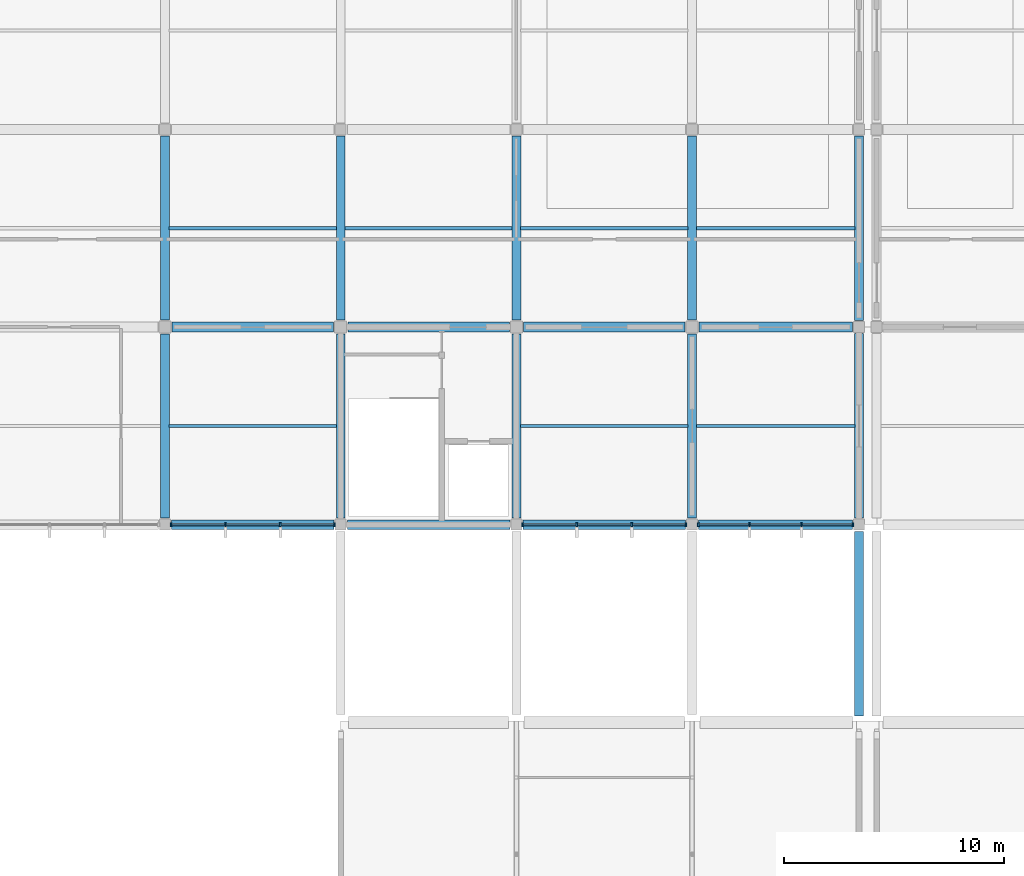
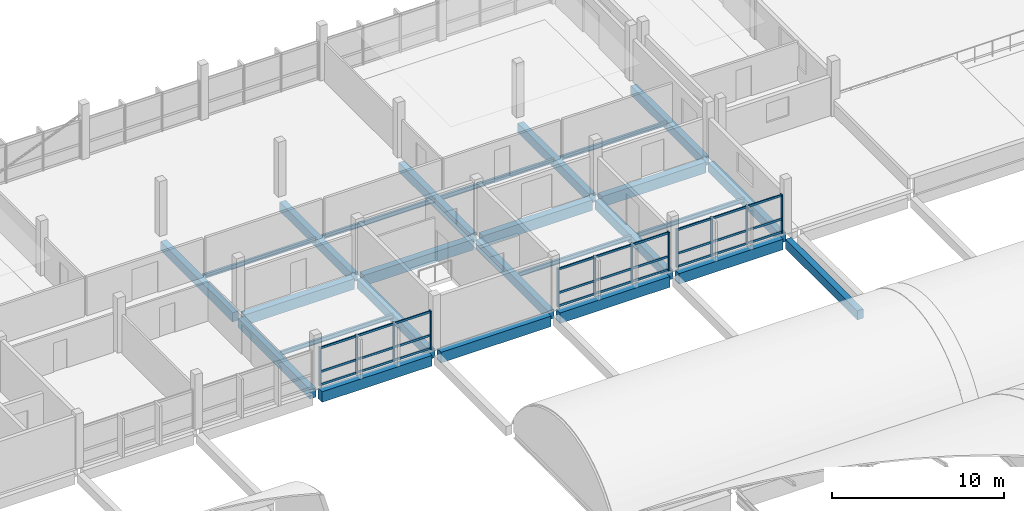
# One storey, part 24 of 57: 39 members, 26 beams, 3 elements without a shape of their own.
"""IFC4 building model written with IfcOpenShell, lengths in metres."""

from ifc_helpers import new_model, si_unit, direction, frame, origin, origin_2d, place, context, subcontext, project, spatial, rectangle, i_section, extrude, material, material_profile, profile_set, type_object, element, aggregate, save


model = new_model("IFC4")

# Units and contexts
model_context = context("Model", 3, precision=1e-05, world=origin(), true_north=direction((0.0, 1.0)))
body_context = subcontext(model_context, "Body", "Model", "MODEL_VIEW")
ifc_project = project(units=[si_unit("LENGTHUNIT", "METRE"), si_unit("AREAUNIT", "SQUARE_METRE"), si_unit("VOLUMEUNIT", "CUBIC_METRE"), si_unit("PLANEANGLEUNIT", "RADIAN"), si_unit("MASSUNIT", "GRAM", prefix="KILO"), si_unit("THERMODYNAMICTEMPERATUREUNIT", "KELVIN"), si_unit("POWERUNIT", "WATT")], contexts=[model_context])

# Site, building, storey
site_placement = place(None, origin())
site = spatial("IfcSite", under=ifc_project, at=site_placement, CompositionType="ELEMENT")
building_placement = place(site_placement, origin())
building = spatial("IfcBuilding", under=site, at=building_placement, Name="Kronsvod Quay Wholesale Market", CompositionType="ELEMENT")
storey_placement = place(building_placement, frame((0.0, 0.0, 13.199951171875)))
storey = spatial("IfcBuildingStorey", under=building, at=storey_placement, Name="L03", CompositionType="ELEMENT", Elevation=13.199951171875)

# Beams
ifc_material_1 = material(Name="Precast concrete C40/50", Category="concrete")
ifc_material_profile_1 = material_profile(ifc_material_1, rectangle(XDim=0.39990234375, YDim=0.64990234375, at=origin_2d()), Name="PCB400x650")
ifc_profile_set_1 = profile_set([ifc_material_profile_1], Name="Precast concrete C40/50")
beam_type_1 = type_object("IfcBeamType", Name="Beam_PCB400x650", PredefinedType="BEAM", material=ifc_profile_set_1)
for number, where, z_axis, x_axis, name in (
    (1, (96.0, 99.300048828125, -0.635009765625), (0.0, 1.0, 0.0), (-1.0, 0.0, 0.0), "BMY-L03-960-990"),
    (2, (96.0, 108.324951171875, -0.635009765625), (0.0, 1.0, 0.0), (-1.0, 0.0, 0.0), "BMY-L03-960-1080"),
    (3, (104.0, 99.300048828125, -0.635009765625), (0.0, 1.0, 0.0), (-1.0, 0.0, 0.0), "BMY-L03-1040-990"),
    (4, (104.0, 108.324951171875, -0.635009765625), (0.0, 1.0, 0.0), (-1.0, 0.0, 0.0), "BMY-L03-1040-1080"),
    (5, (112.0, 99.300048828125, -0.635009765625), (0.0, 1.0, 0.0), (-1.0, 0.0, 0.0), "BMY-L03-1120-990"),
    (6, (112.0, 108.324951171875, -0.635009765625), (0.0, 1.0, 0.0), (-1.0, 0.0, 0.0), "BMY-L03-1120-1080"),
    (7, (120.0, 99.300048828125, -0.635009765625), (0.0, 1.0, 0.0), (-1.0, 0.0, 0.0), "BMY-L03-1200-990"),
    (8, (120.0, 108.324951171875, -0.635009765625), (0.0, 1.0, 0.0), (-1.0, 0.0, 0.0), "BMY-L03-1200-1080"),
):
    element("IfcBeam", number, at=place(storey_placement, frame(where, z_axis=z_axis, x_axis=x_axis)), inside=storey, type_object=beam_type_1, Name=name, PredefinedType="BEAM", context=body_context, shape_type="SweptSolid", body=[
        extrude(rectangle(XDim=0.39990234375, YDim=0.64990234375, at=origin_2d()), origin(), (0.0, 0.0, 1.0), 8.375),
    ])
for number, where, z_axis, x_axis, name in (
    (9, (127.60009765625, 90.300048828125, -0.635009765625), (0.0, 1.0, 0.0), (-1.0, 0.0, 0.0), "BMY-L03-1276-900"),
    (10, (127.60009765625, 99.300048828125, -0.635009765625), (0.0, 1.0, 0.0), (-1.0, 0.0, 0.0), "BMY-L03-1276-990"),
    (11, (127.60009765625, 108.300048828125, -0.635009765625), (0.0, 1.0, 0.0), (-1.0, 0.0, 0.0), "BMY-L03-1276-1080"),
):
    element("IfcBeam", number, at=place(storey_placement, frame(where, z_axis=z_axis, x_axis=x_axis)), inside=storey, type_object=beam_type_1, Name=name, PredefinedType="BEAM", context=body_context, shape_type="SweptSolid", body=[
        extrude(rectangle(XDim=0.39990234375, YDim=0.64990234375, at=origin_2d()), origin(), (0.0, 0.0, 1.0), 8.39990234375),
    ])
ifc_material_2 = material(Name="Precast concrete C40/50", Category="concrete")
ifc_material_profile_2 = material_profile(ifc_material_2, rectangle(XDim=0.449951171875, YDim=0.75, at=origin_2d()), Name="PCB450x750")
ifc_profile_set_2 = profile_set([ifc_material_profile_2], Name="Precast concrete C40/50")
beam_type_2 = type_object("IfcBeamType", Name="Beam_PCB450x750", PredefinedType="BEAM", material=ifc_profile_set_2)
for number, where, z_axis, x_axis, name in (
    (12, (96.300048828125, 99.0, -0.68505859375), (1.0, 0.0, 0.0), (0.0, 1.0, 0.0), "BMX-L03-960-990"),
    (13, (104.300048828125, 99.0, -0.68505859375), (1.0, 0.0, 0.0), (0.0, 1.0, 0.0), "BMX-L03-1040-990"),
    (14, (112.300048828125, 99.0, -0.68505859375), (1.0, 0.0, 0.0), (0.0, 1.0, 0.0), "BMX-L03-1120-990"),
):
    element("IfcBeam", number, at=place(storey_placement, frame(where, z_axis=z_axis, x_axis=x_axis)), inside=storey, type_object=beam_type_2, Name=name, PredefinedType="BEAM", context=body_context, shape_type="SweptSolid", body=[
        extrude(rectangle(XDim=0.449951171875, YDim=0.75, at=origin_2d()), origin(), (0.0, 0.0, 1.0), 7.39990234375),
    ])
beam_1_placement = place(storey_placement, frame((120.300048828125, 99.0, -0.68505859375), z_axis=(1.0, 0.0, 0.0), x_axis=(0.0, 1.0, 0.0)))
element("IfcBeam", 15, at=beam_1_placement, inside=storey, type_object=beam_type_2, Name="BMX-L03-1200-990", PredefinedType="BEAM", context=body_context, shape_type="SweptSolid", body=[
    extrude(rectangle(XDim=0.449951171875, YDim=0.75, at=origin_2d()), origin(), (0.0, 0.0, 1.0), 7.0),
])
for number, where, z_axis, x_axis, name in (
    (16, (96.324951171875, 108.0, -0.68505859375), (1.0, 0.0, 0.0), (0.0, 1.0, 0.0), "BMX-L03-960-1080"),
    (17, (104.324951171875, 108.0, -0.68505859375), (1.0, 0.0, 0.0), (0.0, 1.0, 0.0), "BMX-L03-1040-1080"),
    (18, (112.324951171875, 108.0, -0.68505859375), (1.0, 0.0, 0.0), (0.0, 1.0, 0.0), "BMX-L03-1120-1080"),
):
    element("IfcBeam", number, at=place(storey_placement, frame(where, z_axis=z_axis, x_axis=x_axis)), inside=storey, type_object=beam_type_2, Name=name, PredefinedType="BEAM", context=body_context, shape_type="SweptSolid", body=[
        extrude(rectangle(XDim=0.449951171875, YDim=0.75, at=origin_2d()), origin(), (0.0, 0.0, 1.0), 7.35009765625),
    ])
beam_2_placement = place(storey_placement, frame((120.324951171875, 108.0, -0.68505859375), z_axis=(1.0, 0.0, 0.0), x_axis=(0.0, 1.0, 0.0)))
element("IfcBeam", 19, at=beam_2_placement, inside=storey, type_object=beam_type_2, Name="BMX-L03-1200-1080", PredefinedType="BEAM", context=body_context, shape_type="SweptSolid", body=[
    extrude(rectangle(XDim=0.449951171875, YDim=0.75, at=origin_2d()), origin(), (0.0, 0.0, 1.0), 6.97509765625),
])
ifc_material_3 = material(Name="Steel S355", Category="steel")
ifc_material_profile_3 = material_profile(ifc_material_3, i_section(OverallWidth=0.14990234375, OverallDepth=0.300048828125, WebThickness=0.006591796875, FlangeThickness=0.009033203125, FilletRadius=0.012939453125, at=origin_2d()), Name="30B2")
ifc_profile_set_3 = profile_set([ifc_material_profile_3], Name="Steel S355")
beam_type_3 = type_object("IfcBeamType", Name="Joist_Steel30B2", PredefinedType="JOIST", material=ifc_profile_set_3)
for number, where, z_axis, x_axis, name in (
    (20, (96.195068359375, 103.5, -0.39990234375), (1.0, 0.0, 0.0), (0.0, 1.0, 0.0), "JSTX-L03-960-990"),
    (21, (96.195068359375, 112.5, -0.39990234375), (1.0, 0.0, 0.0), (0.0, 1.0, 0.0), "JSTX-L03-960-1080"),
    (22, (104.195068359375, 112.5, -0.39990234375), (1.0, 0.0, 0.0), (0.0, 1.0, 0.0), "JSTX-L03-1040-1080"),
    (23, (112.195068359375, 103.5, -0.39990234375), (1.0, 0.0, 0.0), (0.0, 1.0, 0.0), "JSTX-L03-1120-990"),
    (24, (112.195068359375, 112.5, -0.39990234375), (1.0, 0.0, 0.0), (0.0, 1.0, 0.0), "JSTX-L03-1120-1080"),
):
    element("IfcBeam", number, at=place(storey_placement, frame(where, z_axis=z_axis, x_axis=x_axis)), inside=storey, type_object=beam_type_3, Name=name, PredefinedType="JOIST", context=body_context, shape_type="SweptSolid", body=[
        extrude(i_section(OverallWidth=0.14990234375, OverallDepth=0.300048828125, WebThickness=0.006591796875, FlangeThickness=0.009033203125, FilletRadius=0.012939453125, at=origin_2d()), origin(), (0.0, 0.0, 1.0), 7.60986328125),
    ])
for number, where, z_axis, x_axis, name in (
    (25, (120.195068359375, 103.5, -0.39990234375), (1.0, 0.0, 0.0), (0.0, 1.0, 0.0), "JSTX-L03-1200-990"),
    (26, (120.195068359375, 112.5, -0.39990234375), (1.0, 0.0, 0.0), (0.0, 1.0, 0.0), "JSTX-L03-1200-1080"),
):
    element("IfcBeam", number, at=place(storey_placement, frame(where, z_axis=z_axis, x_axis=x_axis)), inside=storey, type_object=beam_type_3, Name=name, PredefinedType="JOIST", context=body_context, shape_type="SweptSolid", body=[
        extrude(i_section(OverallWidth=0.14990234375, OverallDepth=0.300048828125, WebThickness=0.006591796875, FlangeThickness=0.009033203125, FilletRadius=0.012939453125, at=origin_2d()), origin(), (0.0, 0.0, 1.0), 7.2099609375),
    ])

# Curtain wall, members
ifc_material_4 = material(Name="Thermally broken aluminium and triple low-E glazing", Category="aluminium")
curtain_wall_type = type_object("IfcCurtainWallType", Name="CW_Harbour80x30", PredefinedType="NOTDEFINED", material=ifc_material_4)
curtain_wall_1_placement = place(storey_placement, origin())
curtain_wall_1 = element("IfcCurtainWall", 27, at=curtain_wall_1_placement, inside=storey, type_object=curtain_wall_type, Name="CWGX-L03-960-990", PredefinedType="NOTDEFINED")
ifc_material_5 = material(Name="Anodised aluminium", Category="aluminium")
ifc_material_profile_4 = material_profile(ifc_material_5, rectangle(XDim=0.074951171875, YDim=0.199951171875, at=origin_2d()), Name="ALUM75x200")
ifc_profile_set_4 = profile_set([ifc_material_profile_4], Name="Anodised aluminium")
member_type_1 = type_object("IfcMemberType", Name="Mullion_ALU75x200", PredefinedType="MULLION", material=ifc_profile_set_4)
member_1_placement = place(storey_placement, frame((96.282470703125, 99.0, 0.0), z_axis=(0.0, 0.0, 1.0), x_axis=(1.0, 0.0, 0.0)))
member_1 = element("IfcMember", 28, at=member_1_placement, type_object=member_type_1, Name="CWGX-L03-960-990-M1", PredefinedType="MULLION", context=body_context, shape_type="SweptSolid", body=[
    extrude(rectangle(XDim=0.074951171875, YDim=0.199951171875, at=origin_2d()), origin(), (0.0, 0.0, 1.0), 2.75),
])
member_2_placement = place(storey_placement, frame((98.748291015625, 99.0, 0.0), z_axis=(0.0, 0.0, 1.0), x_axis=(1.0, 0.0, 0.0)))
member_2 = element("IfcMember", 29, at=member_2_placement, type_object=member_type_1, Name="CWGX-L03-960-990-M2", PredefinedType="MULLION", context=body_context, shape_type="SweptSolid", body=[
    extrude(rectangle(XDim=0.074951171875, YDim=0.199951171875, at=origin_2d()), origin(), (0.0, 0.0, 1.0), 2.75),
])
member_3_placement = place(storey_placement, frame((101.251708984375, 99.0, 0.0), z_axis=(0.0, 0.0, 1.0), x_axis=(1.0, 0.0, 0.0)))
member_3 = element("IfcMember", 30, at=member_3_placement, type_object=member_type_1, Name="CWGX-L03-960-990-M3", PredefinedType="MULLION", context=body_context, shape_type="SweptSolid", body=[
    extrude(rectangle(XDim=0.074951171875, YDim=0.199951171875, at=origin_2d()), origin(), (0.0, 0.0, 1.0), 2.75),
])
member_4_placement = place(storey_placement, frame((103.717529296875, 99.0, 0.0), z_axis=(0.0, 0.0, 1.0), x_axis=(1.0, 0.0, 0.0)))
member_4 = element("IfcMember", 31, at=member_4_placement, type_object=member_type_1, Name="CWGX-L03-960-990-M4", PredefinedType="MULLION", context=body_context, shape_type="SweptSolid", body=[
    extrude(rectangle(XDim=0.074951171875, YDim=0.199951171875, at=origin_2d()), origin(), (0.0, 0.0, 1.0), 2.75),
])

curtain_wall_2_placement = place(storey_placement, origin())
curtain_wall_2 = element("IfcCurtainWall", 32, at=curtain_wall_2_placement, inside=storey, type_object=curtain_wall_type, Name="CWGX-L03-1120-990", PredefinedType="NOTDEFINED")
member_5_placement = place(storey_placement, frame((112.282470703125, 99.0, 0.0), z_axis=(0.0, 0.0, 1.0), x_axis=(1.0, 0.0, 0.0)))
member_5 = element("IfcMember", 33, at=member_5_placement, type_object=member_type_1, Name="CWGX-L03-1120-990-M1", PredefinedType="MULLION", context=body_context, shape_type="SweptSolid", body=[
    extrude(rectangle(XDim=0.074951171875, YDim=0.199951171875, at=origin_2d()), origin(), (0.0, 0.0, 1.0), 2.75),
])
member_6_placement = place(storey_placement, frame((114.748291015625, 99.0, 0.0), z_axis=(0.0, 0.0, 1.0), x_axis=(1.0, 0.0, 0.0)))
member_6 = element("IfcMember", 34, at=member_6_placement, type_object=member_type_1, Name="CWGX-L03-1120-990-M2", PredefinedType="MULLION", context=body_context, shape_type="SweptSolid", body=[
    extrude(rectangle(XDim=0.074951171875, YDim=0.199951171875, at=origin_2d()), origin(), (0.0, 0.0, 1.0), 2.75),
])
member_7_placement = place(storey_placement, frame((117.251708984375, 99.0, 0.0), z_axis=(0.0, 0.0, 1.0), x_axis=(1.0, 0.0, 0.0)))
member_7 = element("IfcMember", 35, at=member_7_placement, type_object=member_type_1, Name="CWGX-L03-1120-990-M3", PredefinedType="MULLION", context=body_context, shape_type="SweptSolid", body=[
    extrude(rectangle(XDim=0.074951171875, YDim=0.199951171875, at=origin_2d()), origin(), (0.0, 0.0, 1.0), 2.75),
])
member_8_placement = place(storey_placement, frame((119.717529296875, 99.0, 0.0), z_axis=(0.0, 0.0, 1.0), x_axis=(1.0, 0.0, 0.0)))
member_8 = element("IfcMember", 36, at=member_8_placement, type_object=member_type_1, Name="CWGX-L03-1120-990-M4", PredefinedType="MULLION", context=body_context, shape_type="SweptSolid", body=[
    extrude(rectangle(XDim=0.074951171875, YDim=0.199951171875, at=origin_2d()), origin(), (0.0, 0.0, 1.0), 2.75),
])

curtain_wall_3_placement = place(storey_placement, origin())
curtain_wall_3 = element("IfcCurtainWall", 37, at=curtain_wall_3_placement, inside=storey, type_object=curtain_wall_type, Name="CWGX-L03-1200-990", PredefinedType="NOTDEFINED")
member_9_placement = place(storey_placement, frame((120.282470703125, 99.0, 0.0), z_axis=(0.0, 0.0, 1.0), x_axis=(1.0, 0.0, 0.0)))
member_9 = element("IfcMember", 38, at=member_9_placement, type_object=member_type_1, Name="CWGX-L03-1200-990-M1", PredefinedType="MULLION", context=body_context, shape_type="SweptSolid", body=[
    extrude(rectangle(XDim=0.074951171875, YDim=0.199951171875, at=origin_2d()), origin(), (0.0, 0.0, 1.0), 2.75),
])
member_10_placement = place(storey_placement, frame((122.614990234375, 99.0, 0.0), z_axis=(0.0, 0.0, 1.0), x_axis=(1.0, 0.0, 0.0)))
member_10 = element("IfcMember", 39, at=member_10_placement, type_object=member_type_1, Name="CWGX-L03-1200-990-M2", PredefinedType="MULLION", context=body_context, shape_type="SweptSolid", body=[
    extrude(rectangle(XDim=0.074951171875, YDim=0.199951171875, at=origin_2d()), origin(), (0.0, 0.0, 1.0), 2.75),
])
member_11_placement = place(storey_placement, frame((124.985107421875, 99.0, 0.0), z_axis=(0.0, 0.0, 1.0), x_axis=(1.0, 0.0, 0.0)))
member_11 = element("IfcMember", 40, at=member_11_placement, type_object=member_type_1, Name="CWGX-L03-1200-990-M3", PredefinedType="MULLION", context=body_context, shape_type="SweptSolid", body=[
    extrude(rectangle(XDim=0.074951171875, YDim=0.199951171875, at=origin_2d()), origin(), (0.0, 0.0, 1.0), 2.75),
])
member_12_placement = place(storey_placement, frame((127.3173828125, 99.0, 0.0), z_axis=(0.0, 0.0, 1.0), x_axis=(1.0, 0.0, 0.0)))
member_12 = element("IfcMember", 41, at=member_12_placement, type_object=member_type_1, Name="CWGX-L03-1200-990-M4", PredefinedType="MULLION", context=body_context, shape_type="SweptSolid", body=[
    extrude(rectangle(XDim=0.074951171875, YDim=0.199951171875, at=origin_2d()), origin(), (0.0, 0.0, 1.0), 2.75),
])

# Member
ifc_material_6 = material(Name="Anodised aluminium", Category="aluminium")
ifc_material_profile_5 = material_profile(ifc_material_6, rectangle(XDim=0.074951171875, YDim=0.14990234375, at=origin_2d()), Name="ALUT75x150")
ifc_profile_set_5 = profile_set([ifc_material_profile_5], Name="Anodised aluminium")
member_type_2 = type_object("IfcMemberType", Name="Transom_ALU75x150", PredefinedType="USERDEFINED", material=ifc_profile_set_5)
member_13_placement = place(storey_placement, frame((96.320068359375, 99.0, 0.074951171875), z_axis=(1.0, 0.0, 0.0), x_axis=(0.0, 1.0, 0.0)))
member_13 = element("IfcMember", 42, at=member_13_placement, type_object=member_type_2, Name="CWGX-L03-960-990-T1B1", ObjectType="TRANSOM", PredefinedType="USERDEFINED", context=body_context, shape_type="SweptSolid", body=[
    extrude(rectangle(XDim=0.074951171875, YDim=0.14990234375, at=origin_2d()), origin(), (0.0, 0.0, 1.0), 2.390869140625),
])

member_14_placement = place(storey_placement, frame((98.785888671875, 99.0, 0.074951171875), z_axis=(1.0, 0.0, 0.0), x_axis=(0.0, 1.0, 0.0)))
member_14 = element("IfcMember", 43, at=member_14_placement, type_object=member_type_2, Name="CWGX-L03-960-990-T1B2", ObjectType="TRANSOM", PredefinedType="USERDEFINED", context=body_context, shape_type="SweptSolid", body=[
    extrude(rectangle(XDim=0.074951171875, YDim=0.14990234375, at=origin_2d()), origin(), (0.0, 0.0, 1.0), 2.42822265625),
])

member_15_placement = place(storey_placement, frame((101.2890625, 99.0, 0.074951171875), z_axis=(1.0, 0.0, 0.0), x_axis=(0.0, 1.0, 0.0)))
member_15 = element("IfcMember", 44, at=member_15_placement, type_object=member_type_2, Name="CWGX-L03-960-990-T1B3", ObjectType="TRANSOM", PredefinedType="USERDEFINED", context=body_context, shape_type="SweptSolid", body=[
    extrude(rectangle(XDim=0.074951171875, YDim=0.14990234375, at=origin_2d()), origin(), (0.0, 0.0, 1.0), 2.390869140625),
])

member_16_placement = place(storey_placement, frame((96.320068359375, 99.0, 1.0), z_axis=(1.0, 0.0, 0.0), x_axis=(0.0, 1.0, 0.0)))
member_16 = element("IfcMember", 45, at=member_16_placement, type_object=member_type_2, Name="CWGX-L03-960-990-T2B1", ObjectType="TRANSOM", PredefinedType="USERDEFINED", context=body_context, shape_type="SweptSolid", body=[
    extrude(rectangle(XDim=0.074951171875, YDim=0.14990234375, at=origin_2d()), origin(), (0.0, 0.0, 1.0), 2.390869140625),
])

member_17_placement = place(storey_placement, frame((98.785888671875, 99.0, 1.0), z_axis=(1.0, 0.0, 0.0), x_axis=(0.0, 1.0, 0.0)))
member_17 = element("IfcMember", 46, at=member_17_placement, type_object=member_type_2, Name="CWGX-L03-960-990-T2B2", ObjectType="TRANSOM", PredefinedType="USERDEFINED", context=body_context, shape_type="SweptSolid", body=[
    extrude(rectangle(XDim=0.074951171875, YDim=0.14990234375, at=origin_2d()), origin(), (0.0, 0.0, 1.0), 2.42822265625),
])

member_18_placement = place(storey_placement, frame((101.2890625, 99.0, 1.0), z_axis=(1.0, 0.0, 0.0), x_axis=(0.0, 1.0, 0.0)))
member_18 = element("IfcMember", 47, at=member_18_placement, type_object=member_type_2, Name="CWGX-L03-960-990-T2B3", ObjectType="TRANSOM", PredefinedType="USERDEFINED", context=body_context, shape_type="SweptSolid", body=[
    extrude(rectangle(XDim=0.074951171875, YDim=0.14990234375, at=origin_2d()), origin(), (0.0, 0.0, 1.0), 2.390869140625),
])

member_19_placement = place(storey_placement, frame((96.320068359375, 99.0, 2.675048828125), z_axis=(1.0, 0.0, 0.0), x_axis=(0.0, 1.0, 0.0)))
member_19 = element("IfcMember", 48, at=member_19_placement, type_object=member_type_2, Name="CWGX-L03-960-990-T3B1", ObjectType="TRANSOM", PredefinedType="USERDEFINED", context=body_context, shape_type="SweptSolid", body=[
    extrude(rectangle(XDim=0.074951171875, YDim=0.14990234375, at=origin_2d()), origin(), (0.0, 0.0, 1.0), 2.390869140625),
])

member_20_placement = place(storey_placement, frame((98.785888671875, 99.0, 2.675048828125), z_axis=(1.0, 0.0, 0.0), x_axis=(0.0, 1.0, 0.0)))
member_20 = element("IfcMember", 49, at=member_20_placement, type_object=member_type_2, Name="CWGX-L03-960-990-T3B2", ObjectType="TRANSOM", PredefinedType="USERDEFINED", context=body_context, shape_type="SweptSolid", body=[
    extrude(rectangle(XDim=0.074951171875, YDim=0.14990234375, at=origin_2d()), origin(), (0.0, 0.0, 1.0), 2.42822265625),
])

member_21_placement = place(storey_placement, frame((101.2890625, 99.0, 2.675048828125), z_axis=(1.0, 0.0, 0.0), x_axis=(0.0, 1.0, 0.0)))
member_21 = element("IfcMember", 50, at=member_21_placement, type_object=member_type_2, Name="CWGX-L03-960-990-T3B3", ObjectType="TRANSOM", PredefinedType="USERDEFINED", context=body_context, shape_type="SweptSolid", body=[
    extrude(rectangle(XDim=0.074951171875, YDim=0.14990234375, at=origin_2d()), origin(), (0.0, 0.0, 1.0), 2.390869140625),
])

aggregate(curtain_wall_1, [member_1, member_2, member_3, member_4, member_13, member_14, member_15, member_16, member_17, member_18, member_19, member_20, member_21])

member_22_placement = place(storey_placement, frame((112.320068359375, 99.0, 0.074951171875), z_axis=(1.0, 0.0, 0.0), x_axis=(0.0, 1.0, 0.0)))
member_22 = element("IfcMember", 51, at=member_22_placement, type_object=member_type_2, Name="CWGX-L03-1120-990-T1B1", ObjectType="TRANSOM", PredefinedType="USERDEFINED", context=body_context, shape_type="SweptSolid", body=[
    extrude(rectangle(XDim=0.074951171875, YDim=0.14990234375, at=origin_2d()), origin(), (0.0, 0.0, 1.0), 2.390869140625),
])

member_23_placement = place(storey_placement, frame((114.785888671875, 99.0, 0.074951171875), z_axis=(1.0, 0.0, 0.0), x_axis=(0.0, 1.0, 0.0)))
member_23 = element("IfcMember", 52, at=member_23_placement, type_object=member_type_2, Name="CWGX-L03-1120-990-T1B2", ObjectType="TRANSOM", PredefinedType="USERDEFINED", context=body_context, shape_type="SweptSolid", body=[
    extrude(rectangle(XDim=0.074951171875, YDim=0.14990234375, at=origin_2d()), origin(), (0.0, 0.0, 1.0), 2.42822265625),
])

member_24_placement = place(storey_placement, frame((117.2890625, 99.0, 0.074951171875), z_axis=(1.0, 0.0, 0.0), x_axis=(0.0, 1.0, 0.0)))
member_24 = element("IfcMember", 53, at=member_24_placement, type_object=member_type_2, Name="CWGX-L03-1120-990-T1B3", ObjectType="TRANSOM", PredefinedType="USERDEFINED", context=body_context, shape_type="SweptSolid", body=[
    extrude(rectangle(XDim=0.074951171875, YDim=0.14990234375, at=origin_2d()), origin(), (0.0, 0.0, 1.0), 2.390869140625),
])

member_25_placement = place(storey_placement, frame((112.320068359375, 99.0, 1.0), z_axis=(1.0, 0.0, 0.0), x_axis=(0.0, 1.0, 0.0)))
member_25 = element("IfcMember", 54, at=member_25_placement, type_object=member_type_2, Name="CWGX-L03-1120-990-T2B1", ObjectType="TRANSOM", PredefinedType="USERDEFINED", context=body_context, shape_type="SweptSolid", body=[
    extrude(rectangle(XDim=0.074951171875, YDim=0.14990234375, at=origin_2d()), origin(), (0.0, 0.0, 1.0), 2.390869140625),
])

member_26_placement = place(storey_placement, frame((114.785888671875, 99.0, 1.0), z_axis=(1.0, 0.0, 0.0), x_axis=(0.0, 1.0, 0.0)))
member_26 = element("IfcMember", 55, at=member_26_placement, type_object=member_type_2, Name="CWGX-L03-1120-990-T2B2", ObjectType="TRANSOM", PredefinedType="USERDEFINED", context=body_context, shape_type="SweptSolid", body=[
    extrude(rectangle(XDim=0.074951171875, YDim=0.14990234375, at=origin_2d()), origin(), (0.0, 0.0, 1.0), 2.42822265625),
])

member_27_placement = place(storey_placement, frame((117.2890625, 99.0, 1.0), z_axis=(1.0, 0.0, 0.0), x_axis=(0.0, 1.0, 0.0)))
member_27 = element("IfcMember", 56, at=member_27_placement, type_object=member_type_2, Name="CWGX-L03-1120-990-T2B3", ObjectType="TRANSOM", PredefinedType="USERDEFINED", context=body_context, shape_type="SweptSolid", body=[
    extrude(rectangle(XDim=0.074951171875, YDim=0.14990234375, at=origin_2d()), origin(), (0.0, 0.0, 1.0), 2.390869140625),
])

member_28_placement = place(storey_placement, frame((112.320068359375, 99.0, 2.675048828125), z_axis=(1.0, 0.0, 0.0), x_axis=(0.0, 1.0, 0.0)))
member_28 = element("IfcMember", 57, at=member_28_placement, type_object=member_type_2, Name="CWGX-L03-1120-990-T3B1", ObjectType="TRANSOM", PredefinedType="USERDEFINED", context=body_context, shape_type="SweptSolid", body=[
    extrude(rectangle(XDim=0.074951171875, YDim=0.14990234375, at=origin_2d()), origin(), (0.0, 0.0, 1.0), 2.390869140625),
])

member_29_placement = place(storey_placement, frame((114.785888671875, 99.0, 2.675048828125), z_axis=(1.0, 0.0, 0.0), x_axis=(0.0, 1.0, 0.0)))
member_29 = element("IfcMember", 58, at=member_29_placement, type_object=member_type_2, Name="CWGX-L03-1120-990-T3B2", ObjectType="TRANSOM", PredefinedType="USERDEFINED", context=body_context, shape_type="SweptSolid", body=[
    extrude(rectangle(XDim=0.074951171875, YDim=0.14990234375, at=origin_2d()), origin(), (0.0, 0.0, 1.0), 2.42822265625),
])

member_30_placement = place(storey_placement, frame((117.2890625, 99.0, 2.675048828125), z_axis=(1.0, 0.0, 0.0), x_axis=(0.0, 1.0, 0.0)))
member_30 = element("IfcMember", 59, at=member_30_placement, type_object=member_type_2, Name="CWGX-L03-1120-990-T3B3", ObjectType="TRANSOM", PredefinedType="USERDEFINED", context=body_context, shape_type="SweptSolid", body=[
    extrude(rectangle(XDim=0.074951171875, YDim=0.14990234375, at=origin_2d()), origin(), (0.0, 0.0, 1.0), 2.390869140625),
])

aggregate(curtain_wall_2, [member_5, member_6, member_7, member_8, member_22, member_23, member_24, member_25, member_26, member_27, member_28, member_29, member_30])

member_31_placement = place(storey_placement, frame((120.320068359375, 99.0, 0.074951171875), z_axis=(1.0, 0.0, 0.0), x_axis=(0.0, 1.0, 0.0)))
member_31 = element("IfcMember", 60, at=member_31_placement, type_object=member_type_2, Name="CWGX-L03-1200-990-T1B1", ObjectType="TRANSOM", PredefinedType="USERDEFINED", context=body_context, shape_type="SweptSolid", body=[
    extrude(rectangle(XDim=0.074951171875, YDim=0.14990234375, at=origin_2d()), origin(), (0.0, 0.0, 1.0), 2.25732421875),
])

member_32_placement = place(storey_placement, frame((122.652587890625, 99.0, 0.074951171875), z_axis=(1.0, 0.0, 0.0), x_axis=(0.0, 1.0, 0.0)))
member_32 = element("IfcMember", 61, at=member_32_placement, type_object=member_type_2, Name="CWGX-L03-1200-990-T1B2", ObjectType="TRANSOM", PredefinedType="USERDEFINED", context=body_context, shape_type="SweptSolid", body=[
    extrude(rectangle(XDim=0.074951171875, YDim=0.14990234375, at=origin_2d()), origin(), (0.0, 0.0, 1.0), 2.294921875),
])

member_33_placement = place(storey_placement, frame((125.0224609375, 99.0, 0.074951171875), z_axis=(1.0, 0.0, 0.0), x_axis=(0.0, 1.0, 0.0)))
member_33 = element("IfcMember", 62, at=member_33_placement, type_object=member_type_2, Name="CWGX-L03-1200-990-T1B3", ObjectType="TRANSOM", PredefinedType="USERDEFINED", context=body_context, shape_type="SweptSolid", body=[
    extrude(rectangle(XDim=0.074951171875, YDim=0.14990234375, at=origin_2d()), origin(), (0.0, 0.0, 1.0), 2.257568359375),
])

member_34_placement = place(storey_placement, frame((120.320068359375, 99.0, 1.0), z_axis=(1.0, 0.0, 0.0), x_axis=(0.0, 1.0, 0.0)))
member_34 = element("IfcMember", 63, at=member_34_placement, type_object=member_type_2, Name="CWGX-L03-1200-990-T2B1", ObjectType="TRANSOM", PredefinedType="USERDEFINED", context=body_context, shape_type="SweptSolid", body=[
    extrude(rectangle(XDim=0.074951171875, YDim=0.14990234375, at=origin_2d()), origin(), (0.0, 0.0, 1.0), 2.25732421875),
])

member_35_placement = place(storey_placement, frame((122.652587890625, 99.0, 1.0), z_axis=(1.0, 0.0, 0.0), x_axis=(0.0, 1.0, 0.0)))
member_35 = element("IfcMember", 64, at=member_35_placement, type_object=member_type_2, Name="CWGX-L03-1200-990-T2B2", ObjectType="TRANSOM", PredefinedType="USERDEFINED", context=body_context, shape_type="SweptSolid", body=[
    extrude(rectangle(XDim=0.074951171875, YDim=0.14990234375, at=origin_2d()), origin(), (0.0, 0.0, 1.0), 2.294921875),
])

member_36_placement = place(storey_placement, frame((125.0224609375, 99.0, 1.0), z_axis=(1.0, 0.0, 0.0), x_axis=(0.0, 1.0, 0.0)))
member_36 = element("IfcMember", 65, at=member_36_placement, type_object=member_type_2, Name="CWGX-L03-1200-990-T2B3", ObjectType="TRANSOM", PredefinedType="USERDEFINED", context=body_context, shape_type="SweptSolid", body=[
    extrude(rectangle(XDim=0.074951171875, YDim=0.14990234375, at=origin_2d()), origin(), (0.0, 0.0, 1.0), 2.257568359375),
])

member_37_placement = place(storey_placement, frame((120.320068359375, 99.0, 2.675048828125), z_axis=(1.0, 0.0, 0.0), x_axis=(0.0, 1.0, 0.0)))
member_37 = element("IfcMember", 66, at=member_37_placement, type_object=member_type_2, Name="CWGX-L03-1200-990-T3B1", ObjectType="TRANSOM", PredefinedType="USERDEFINED", context=body_context, shape_type="SweptSolid", body=[
    extrude(rectangle(XDim=0.074951171875, YDim=0.14990234375, at=origin_2d()), origin(), (0.0, 0.0, 1.0), 2.25732421875),
])

member_38_placement = place(storey_placement, frame((122.652587890625, 99.0, 2.675048828125), z_axis=(1.0, 0.0, 0.0), x_axis=(0.0, 1.0, 0.0)))
member_38 = element("IfcMember", 67, at=member_38_placement, type_object=member_type_2, Name="CWGX-L03-1200-990-T3B2", ObjectType="TRANSOM", PredefinedType="USERDEFINED", context=body_context, shape_type="SweptSolid", body=[
    extrude(rectangle(XDim=0.074951171875, YDim=0.14990234375, at=origin_2d()), origin(), (0.0, 0.0, 1.0), 2.294921875),
])

member_39_placement = place(storey_placement, frame((125.0224609375, 99.0, 2.675048828125), z_axis=(1.0, 0.0, 0.0), x_axis=(0.0, 1.0, 0.0)))
member_39 = element("IfcMember", 68, at=member_39_placement, type_object=member_type_2, Name="CWGX-L03-1200-990-T3B3", ObjectType="TRANSOM", PredefinedType="USERDEFINED", context=body_context, shape_type="SweptSolid", body=[
    extrude(rectangle(XDim=0.074951171875, YDim=0.14990234375, at=origin_2d()), origin(), (0.0, 0.0, 1.0), 2.257568359375),
])

aggregate(curtain_wall_3, [member_9, member_10, member_11, member_12, member_31, member_32, member_33, member_34, member_35, member_36, member_37, member_38, member_39])

save(model, "model.ifc")
